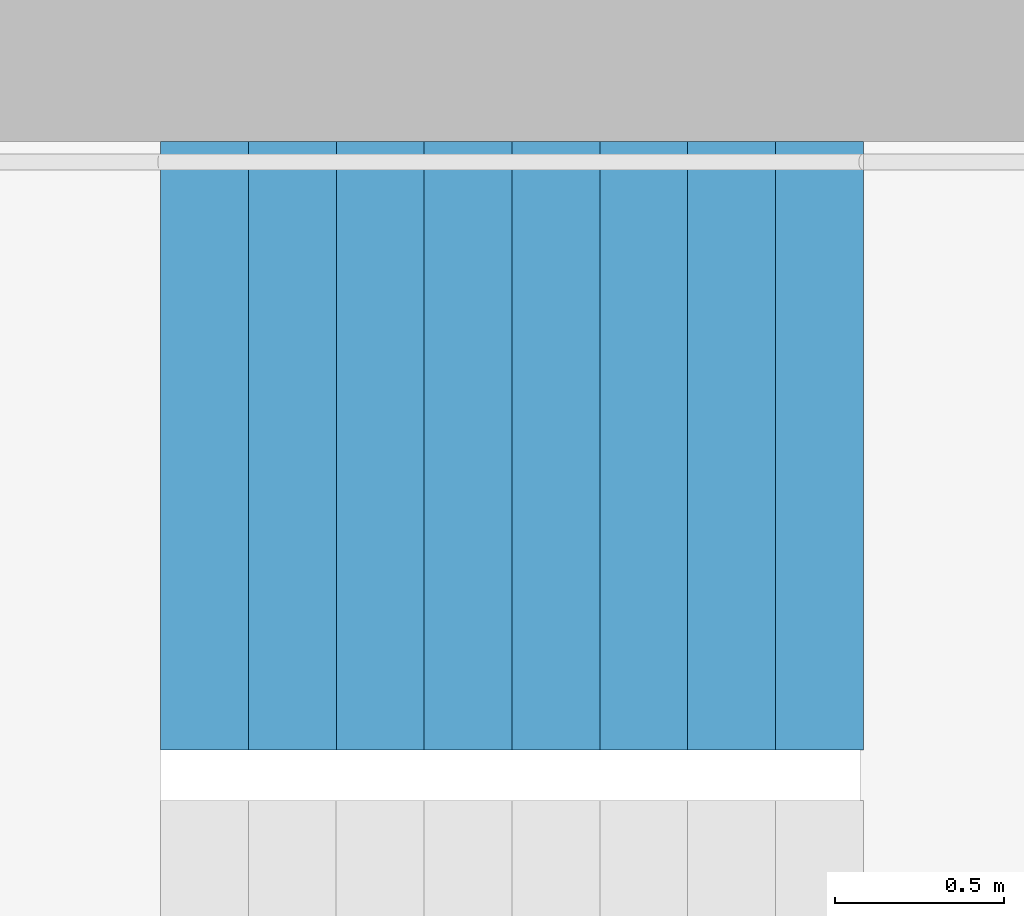
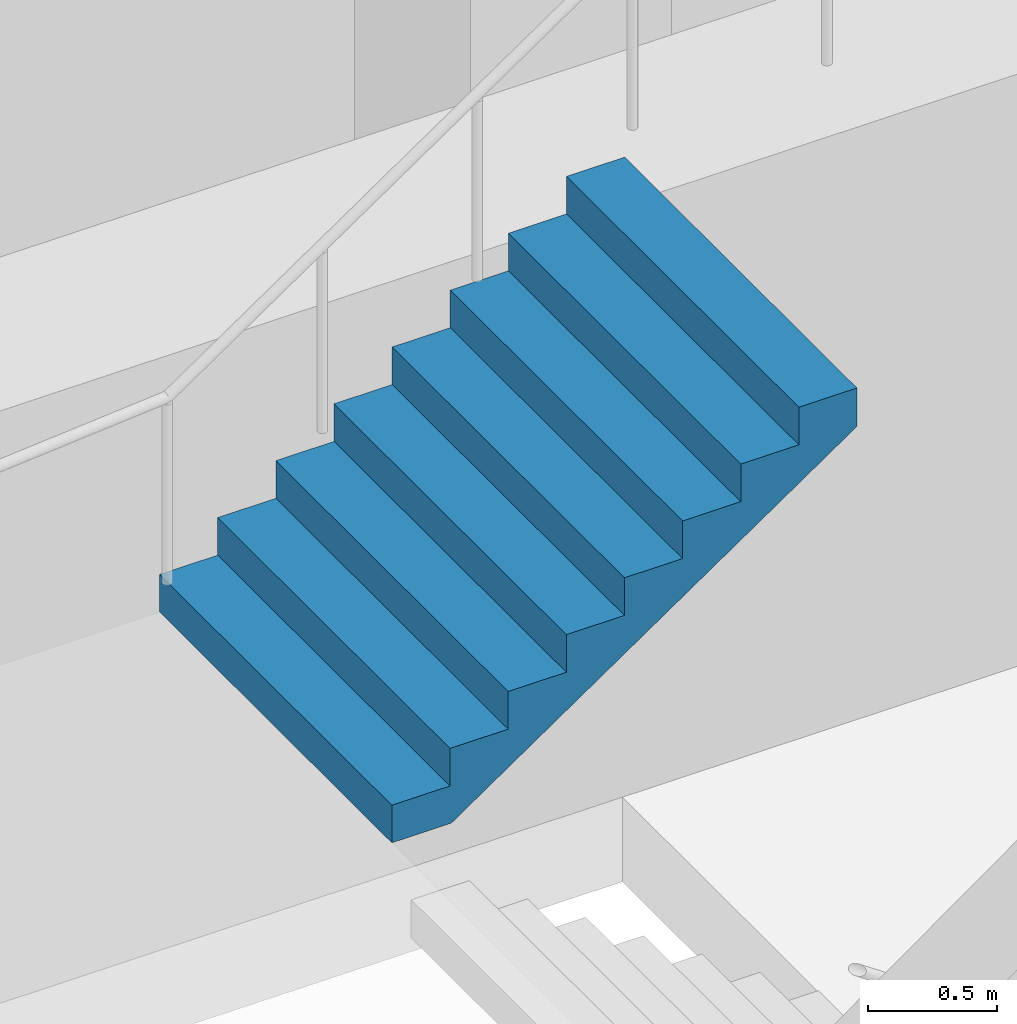
# One storey, part 28 of 29: 1 stair flight, 1 element without a shape of its own.
"""IFC4 building model written with IfcOpenShell, lengths in metres."""

from ifc_helpers import new_model, si_unit, direction, frame, origin, place, context, subcontext, project, spatial, triangles, material, type_object, element, aggregate, save


model = new_model("IFC4")

# Units and contexts
model_context = context("Model", 3, precision=1e-05, world=origin(), true_north=direction((0.0, 1.0)))
body_context = subcontext(model_context, "Body", "Model", "MODEL_VIEW")
ifc_project = project(units=[si_unit("LENGTHUNIT", "METRE"), si_unit("AREAUNIT", "SQUARE_METRE"), si_unit("VOLUMEUNIT", "CUBIC_METRE"), si_unit("PLANEANGLEUNIT", "RADIAN"), si_unit("MASSUNIT", "GRAM", prefix="KILO")], contexts=[model_context])

# Site, building, storey
site_placement = place(None, origin())
site = spatial("IfcSite", under=ifc_project, at=site_placement, CompositionType="ELEMENT")
building_placement = place(site_placement, origin())
building = spatial("IfcBuilding", under=site, at=building_placement, Name="Hakoniwa Tower and Hamabe Station Hall", CompositionType="ELEMENT")
storey_placement = place(building_placement, frame((0.0, 0.0, 85.0)))
storey = spatial("IfcBuildingStorey", under=building, at=storey_placement, Name="L23", CompositionType="ELEMENT", Elevation=85.0)

# Stair, stair flight
ifc_material_1 = material(Name="Concrete C40", Category="concrete")
stair_type = type_object("IfcStairType", Name="ESCAPE STAIR 1800", PredefinedType="HALF_TURN_STAIR", material=ifc_material_1)
stair_placement = place(storey_placement, origin())
stair = element("IfcStair", 1, at=stair_placement, inside=storey, type_object=stair_type, Name="Escape stair ST-3 L23", PredefinedType="HALF_TURN_STAIR")
ifc_material_2 = material(Name="Concrete C40", Category="concrete")
stair_flight_type = type_object("IfcStairFlightType", Name="STAIR FLIGHT 1800", PredefinedType="STRAIGHT", material=ifc_material_2)
stair_flight_placement = place(storey_placement, frame((22.320068359375, 6.60009765625, 1.60009765625), z_axis=(0.0, 0.0, 1.0), x_axis=(1.0, 0.0, 0.0)))
stair_flight = element("IfcStairFlight", 2, at=stair_flight_placement, type_object=stair_flight_type, Name="ST-3 flight 2", NumberOfRisers=9, NumberOfTreads=8, PredefinedType="STRAIGHT", RiserHeight=0.177777778, TreadLength=0.26, context=body_context, shape_type="Tessellation", body=[
    triangles([(0.0, 0.89990234375, 0.0), (0.260009765625, 0.89990234375, 0.0), (0.265625, 0.89990234375, 0.0), (0.52001953125, 0.89990234375, 0.174072265625), (0.780029296875, 0.89990234375, 0.351806640625), (1.0400390625, 0.89990234375, 0.529541015625), (1.300048828125, 0.89990234375, 0.707275390625), (1.56005859375, 0.89990234375, 0.885009765625), (1.820068359375, 0.89990234375, 1.062744140625), (2.080078125, 0.89990234375, 1.24072265625), (2.080078125, 0.89990234375, 1.422119140625), (1.820068359375, 0.89990234375, 1.422119140625), (1.820068359375, 0.89990234375, 1.244384765625), (1.56005859375, 0.89990234375, 1.244384765625), (1.56005859375, 0.89990234375, 1.066650390625), (1.300048828125, 0.89990234375, 1.066650390625), (1.300048828125, 0.89990234375, 0.888916015625), (1.0400390625, 0.89990234375, 0.888916015625), (1.0400390625, 0.89990234375, 0.711181640625), (0.780029296875, 0.89990234375, 0.711181640625), (0.780029296875, 0.89990234375, 0.533447265625), (0.52001953125, 0.89990234375, 0.533447265625), (0.52001953125, 0.89990234375, 0.35546875), (0.265625, 0.89990234375, 0.35546875), (0.260009765625, 0.89990234375, 0.35546875), (0.260009765625, 0.89990234375, 0.177734375), (0.0, 0.89990234375, 0.177734375), (0.0, 0.06005859375, 0.0), (0.260009765625, 0.06005859375, 0.0), (0.265625, 0.06005859375, 0.0), (0.52001953125, 0.06005859375, 0.174072265625), (0.780029296875, 0.06005859375, 0.351806640625), (1.0400390625, 0.06005859375, 0.529541015625), (1.300048828125, 0.06005859375, 0.707275390625), (1.56005859375, 0.06005859375, 0.885009765625), (1.820068359375, 0.06005859375, 1.062744140625), (2.080078125, 0.06005859375, 1.24072265625), (2.080078125, 0.06005859375, 1.422119140625), (1.820068359375, 0.06005859375, 1.422119140625), (1.820068359375, 0.06005859375, 1.244384765625), (1.56005859375, 0.06005859375, 1.244384765625), (1.56005859375, 0.06005859375, 1.066650390625), (1.300048828125, 0.06005859375, 1.066650390625), (1.300048828125, 0.06005859375, 0.888916015625), (1.0400390625, 0.06005859375, 0.888916015625), (1.0400390625, 0.06005859375, 0.711181640625), (0.780029296875, 0.06005859375, 0.711181640625), (0.780029296875, 0.06005859375, 0.533447265625), (0.52001953125, 0.06005859375, 0.533447265625), (0.52001953125, 0.06005859375, 0.35546875), (0.265625, 0.06005859375, 0.35546875), (0.260009765625, 0.06005859375, 0.35546875), (0.260009765625, 0.06005859375, 0.177734375), (0.0, 0.06005859375, 0.177734375), (0.0, 0.04296875, 0.0), (0.260009765625, 0.04296875, 0.0), (0.265625, 0.04296875, 0.0), (0.52001953125, 0.04296875, 0.174072265625), (0.780029296875, 0.04296875, 0.351806640625), (1.0400390625, 0.04296875, 0.529541015625), (1.300048828125, 0.04296875, 0.707275390625), (1.56005859375, 0.04296875, 0.885009765625), (1.820068359375, 0.04296875, 1.062744140625), (2.080078125, 0.04296875, 1.24072265625), (2.080078125, 0.04296875, 1.422119140625), (1.820068359375, 0.04296875, 1.422119140625), (1.820068359375, 0.04296875, 1.244384765625), (1.56005859375, 0.04296875, 1.244384765625), (1.56005859375, 0.04296875, 1.066650390625), (1.300048828125, 0.04296875, 1.066650390625), (1.300048828125, 0.04296875, 0.888916015625), (1.0400390625, 0.04296875, 0.888916015625), (1.0400390625, 0.04296875, 0.711181640625), (0.780029296875, 0.04296875, 0.711181640625), (0.780029296875, 0.04296875, 0.533447265625), (0.52001953125, 0.04296875, 0.533447265625), (0.52001953125, 0.04296875, 0.35546875), (0.265625, 0.04296875, 0.35546875), (0.260009765625, 0.04296875, 0.35546875), (0.260009765625, 0.04296875, 0.177734375), (0.0, 0.04296875, 0.177734375), (0.0, 0.025634765625, 0.0), (0.260009765625, 0.025634765625, 0.0), (0.265625, 0.025634765625, 0.0), (0.52001953125, 0.025634765625, 0.174072265625), (0.780029296875, 0.025634765625, 0.351806640625), (1.0400390625, 0.025634765625, 0.529541015625), (1.300048828125, 0.025634765625, 0.707275390625), (1.56005859375, 0.025634765625, 0.885009765625), (1.820068359375, 0.025634765625, 1.062744140625), (2.080078125, 0.025634765625, 1.24072265625), (2.080078125, 0.025634765625, 1.422119140625), (1.820068359375, 0.025634765625, 1.422119140625), (1.820068359375, 0.025634765625, 1.244384765625), (1.56005859375, 0.025634765625, 1.244384765625), (1.56005859375, 0.025634765625, 1.066650390625), (1.300048828125, 0.025634765625, 1.066650390625), (1.300048828125, 0.025634765625, 0.888916015625), (1.0400390625, 0.025634765625, 0.888916015625), (1.0400390625, 0.025634765625, 0.711181640625), (0.780029296875, 0.025634765625, 0.711181640625), (0.780029296875, 0.025634765625, 0.533447265625), (0.52001953125, 0.025634765625, 0.533447265625), (0.52001953125, 0.025634765625, 0.35546875), (0.265625, 0.025634765625, 0.35546875), (0.260009765625, 0.025634765625, 0.35546875), (0.260009765625, 0.025634765625, 0.177734375), (0.0, 0.025634765625, 0.177734375), (0.0, 0.008544921875, 0.0), (0.260009765625, 0.008544921875, 0.0), (0.265625, 0.008544921875, 0.0), (0.52001953125, 0.008544921875, 0.174072265625), (0.780029296875, 0.008544921875, 0.351806640625), (1.0400390625, 0.008544921875, 0.529541015625), (1.300048828125, 0.008544921875, 0.707275390625), (1.56005859375, 0.008544921875, 0.885009765625), (1.820068359375, 0.008544921875, 1.062744140625), (2.080078125, 0.008544921875, 1.24072265625), (2.080078125, 0.008544921875, 1.422119140625), (1.820068359375, 0.008544921875, 1.422119140625), (1.820068359375, 0.008544921875, 1.244384765625), (1.56005859375, 0.008544921875, 1.244384765625), (1.56005859375, 0.008544921875, 1.066650390625), (1.300048828125, 0.008544921875, 1.066650390625), (1.300048828125, 0.008544921875, 0.888916015625), (1.0400390625, 0.008544921875, 0.888916015625), (1.0400390625, 0.008544921875, 0.711181640625), (0.780029296875, 0.008544921875, 0.711181640625), (0.780029296875, 0.008544921875, 0.533447265625), (0.52001953125, 0.008544921875, 0.533447265625), (0.52001953125, 0.008544921875, 0.35546875), (0.265625, 0.008544921875, 0.35546875), (0.260009765625, 0.008544921875, 0.35546875), (0.260009765625, 0.008544921875, 0.177734375), (0.0, 0.008544921875, 0.177734375), (0.0, -0.008544921875, 0.0), (0.260009765625, -0.008544921875, 0.0), (0.265625, -0.008544921875, 0.0), (0.52001953125, -0.008544921875, 0.174072265625), (0.780029296875, -0.008544921875, 0.351806640625), (1.0400390625, -0.008544921875, 0.529541015625), (1.300048828125, -0.008544921875, 0.707275390625), (1.56005859375, -0.008544921875, 0.885009765625), (1.820068359375, -0.008544921875, 1.062744140625), (2.080078125, -0.008544921875, 1.24072265625), (2.080078125, -0.008544921875, 1.422119140625), (1.820068359375, -0.008544921875, 1.422119140625), (1.820068359375, -0.008544921875, 1.244384765625), (1.56005859375, -0.008544921875, 1.244384765625), (1.56005859375, -0.008544921875, 1.066650390625), (1.300048828125, -0.008544921875, 1.066650390625), (1.300048828125, -0.008544921875, 0.888916015625), (1.0400390625, -0.008544921875, 0.888916015625), (1.0400390625, -0.008544921875, 0.711181640625), (0.780029296875, -0.008544921875, 0.711181640625), (0.780029296875, -0.008544921875, 0.533447265625), (0.52001953125, -0.008544921875, 0.533447265625), (0.52001953125, -0.008544921875, 0.35546875), (0.265625, -0.008544921875, 0.35546875), (0.260009765625, -0.008544921875, 0.35546875), (0.260009765625, -0.008544921875, 0.177734375), (0.0, -0.008544921875, 0.177734375), (0.0, -0.025634765625, 0.0), (0.260009765625, -0.025634765625, 0.0), (0.265625, -0.025634765625, 0.0), (0.52001953125, -0.025634765625, 0.174072265625), (0.780029296875, -0.025634765625, 0.351806640625), (1.0400390625, -0.025634765625, 0.529541015625), (1.300048828125, -0.025634765625, 0.707275390625), (1.56005859375, -0.025634765625, 0.885009765625), (1.820068359375, -0.025634765625, 1.062744140625), (2.080078125, -0.025634765625, 1.24072265625), (2.080078125, -0.025634765625, 1.422119140625), (1.820068359375, -0.025634765625, 1.422119140625), (1.820068359375, -0.025634765625, 1.244384765625), (1.56005859375, -0.025634765625, 1.244384765625), (1.56005859375, -0.025634765625, 1.066650390625), (1.300048828125, -0.025634765625, 1.066650390625), (1.300048828125, -0.025634765625, 0.888916015625), (1.0400390625, -0.025634765625, 0.888916015625), (1.0400390625, -0.025634765625, 0.711181640625), (0.780029296875, -0.025634765625, 0.711181640625), (0.780029296875, -0.025634765625, 0.533447265625), (0.52001953125, -0.025634765625, 0.533447265625), (0.52001953125, -0.025634765625, 0.35546875), (0.265625, -0.025634765625, 0.35546875), (0.260009765625, -0.025634765625, 0.35546875), (0.260009765625, -0.025634765625, 0.177734375), (0.0, -0.025634765625, 0.177734375), (0.0, -0.04296875, 0.0), (0.260009765625, -0.04296875, 0.0), (0.265625, -0.04296875, 0.0), (0.52001953125, -0.04296875, 0.174072265625), (0.780029296875, -0.04296875, 0.351806640625), (1.0400390625, -0.04296875, 0.529541015625), (1.300048828125, -0.04296875, 0.707275390625), (1.56005859375, -0.04296875, 0.885009765625), (1.820068359375, -0.04296875, 1.062744140625), (2.080078125, -0.04296875, 1.24072265625), (2.080078125, -0.04296875, 1.422119140625), (1.820068359375, -0.04296875, 1.422119140625), (1.820068359375, -0.04296875, 1.244384765625), (1.56005859375, -0.04296875, 1.244384765625), (1.56005859375, -0.04296875, 1.066650390625), (1.300048828125, -0.04296875, 1.066650390625), (1.300048828125, -0.04296875, 0.888916015625), (1.0400390625, -0.04296875, 0.888916015625), (1.0400390625, -0.04296875, 0.711181640625), (0.780029296875, -0.04296875, 0.711181640625), (0.780029296875, -0.04296875, 0.533447265625), (0.52001953125, -0.04296875, 0.533447265625), (0.52001953125, -0.04296875, 0.35546875), (0.265625, -0.04296875, 0.35546875), (0.260009765625, -0.04296875, 0.35546875), (0.260009765625, -0.04296875, 0.177734375), (0.0, -0.04296875, 0.177734375), (0.0, -0.06005859375, 0.0), (0.260009765625, -0.06005859375, 0.0), (0.265625, -0.06005859375, 0.0), (0.52001953125, -0.06005859375, 0.174072265625), (0.780029296875, -0.06005859375, 0.351806640625), (1.0400390625, -0.06005859375, 0.529541015625), (1.300048828125, -0.06005859375, 0.707275390625), (1.56005859375, -0.06005859375, 0.885009765625), (1.820068359375, -0.06005859375, 1.062744140625), (2.080078125, -0.06005859375, 1.24072265625), (2.080078125, -0.06005859375, 1.422119140625), (1.820068359375, -0.06005859375, 1.422119140625), (1.820068359375, -0.06005859375, 1.244384765625), (1.56005859375, -0.06005859375, 1.244384765625), (1.56005859375, -0.06005859375, 1.066650390625), (1.300048828125, -0.06005859375, 1.066650390625), (1.300048828125, -0.06005859375, 0.888916015625), (1.0400390625, -0.06005859375, 0.888916015625), (1.0400390625, -0.06005859375, 0.711181640625), (0.780029296875, -0.06005859375, 0.711181640625), (0.780029296875, -0.06005859375, 0.533447265625), (0.52001953125, -0.06005859375, 0.533447265625), (0.52001953125, -0.06005859375, 0.35546875), (0.265625, -0.06005859375, 0.35546875), (0.260009765625, -0.06005859375, 0.35546875), (0.260009765625, -0.06005859375, 0.177734375), (0.0, -0.06005859375, 0.177734375), (0.0, -0.89990234375, 0.0), (0.260009765625, -0.89990234375, 0.0), (0.265625, -0.89990234375, 0.0), (0.52001953125, -0.89990234375, 0.174072265625), (0.780029296875, -0.89990234375, 0.351806640625), (1.0400390625, -0.89990234375, 0.529541015625), (1.300048828125, -0.89990234375, 0.707275390625), (1.56005859375, -0.89990234375, 0.885009765625), (1.820068359375, -0.89990234375, 1.062744140625), (2.080078125, -0.89990234375, 1.24072265625), (2.080078125, -0.89990234375, 1.422119140625), (1.820068359375, -0.89990234375, 1.422119140625), (1.820068359375, -0.89990234375, 1.244384765625), (1.56005859375, -0.89990234375, 1.244384765625), (1.56005859375, -0.89990234375, 1.066650390625), (1.300048828125, -0.89990234375, 1.066650390625), (1.300048828125, -0.89990234375, 0.888916015625), (1.0400390625, -0.89990234375, 0.888916015625), (1.0400390625, -0.89990234375, 0.711181640625), (0.780029296875, -0.89990234375, 0.711181640625), (0.780029296875, -0.89990234375, 0.533447265625), (0.52001953125, -0.89990234375, 0.533447265625), (0.52001953125, -0.89990234375, 0.35546875), (0.265625, -0.89990234375, 0.35546875), (0.260009765625, -0.89990234375, 0.35546875), (0.260009765625, -0.89990234375, 0.177734375), (0.0, -0.89990234375, 0.177734375)], [[2, 27, 26], [245, 269, 270], [2, 1, 27], [245, 270, 244], [3, 25, 24], [246, 267, 268], [3, 26, 25], [246, 268, 269], [3, 2, 26], [246, 269, 245], [4, 24, 23], [247, 266, 267], [4, 3, 24], [247, 267, 246], [5, 22, 21], [248, 264, 265], [5, 23, 22], [248, 265, 266], [5, 4, 23], [248, 266, 247], [6, 20, 19], [249, 262, 263], [6, 21, 20], [249, 263, 264], [6, 5, 21], [249, 264, 248], [7, 18, 17], [250, 260, 261], [7, 19, 18], [250, 261, 262], [7, 6, 19], [250, 262, 249], [8, 16, 15], [251, 258, 259], [8, 17, 16], [251, 259, 260], [8, 7, 17], [251, 260, 250], [9, 14, 13], [252, 256, 257], [9, 15, 14], [252, 257, 258], [9, 8, 15], [252, 258, 251], [10, 12, 11], [253, 254, 255], [10, 13, 12], [253, 255, 256], [10, 9, 13], [253, 256, 252], [1, 2, 29], [1, 29, 28], [28, 29, 56], [28, 56, 55], [55, 56, 83], [55, 83, 82], [82, 83, 110], [82, 110, 109], [109, 110, 137], [109, 137, 136], [136, 137, 164], [136, 164, 163], [163, 164, 191], [163, 191, 190], [190, 191, 218], [190, 218, 217], [217, 218, 245], [217, 245, 244], [2, 3, 30], [2, 30, 29], [29, 30, 57], [29, 57, 56], [56, 57, 84], [56, 84, 83], [83, 84, 111], [83, 111, 110], [110, 111, 138], [110, 138, 137], [137, 138, 165], [137, 165, 164], [164, 165, 192], [164, 192, 191], [191, 192, 219], [191, 219, 218], [218, 219, 246], [218, 246, 245], [3, 4, 31], [3, 31, 30], [30, 31, 58], [30, 58, 57], [57, 58, 85], [57, 85, 84], [84, 85, 112], [84, 112, 111], [111, 112, 139], [111, 139, 138], [138, 139, 166], [138, 166, 165], [165, 166, 193], [165, 193, 192], [192, 193, 220], [192, 220, 219], [219, 220, 247], [219, 247, 246], [4, 5, 32], [4, 32, 31], [31, 32, 59], [31, 59, 58], [58, 59, 86], [58, 86, 85], [85, 86, 113], [85, 113, 112], [112, 113, 140], [112, 140, 139], [139, 140, 167], [139, 167, 166], [166, 167, 194], [166, 194, 193], [193, 194, 221], [193, 221, 220], [220, 221, 248], [220, 248, 247], [5, 6, 33], [5, 33, 32], [32, 33, 60], [32, 60, 59], [59, 60, 87], [59, 87, 86], [86, 87, 114], [86, 114, 113], [113, 114, 141], [113, 141, 140], [140, 141, 168], [140, 168, 167], [167, 168, 195], [167, 195, 194], [194, 195, 222], [194, 222, 221], [221, 222, 249], [221, 249, 248], [6, 7, 34], [6, 34, 33], [33, 34, 61], [33, 61, 60], [60, 61, 88], [60, 88, 87], [87, 88, 115], [87, 115, 114], [114, 115, 142], [114, 142, 141], [141, 142, 169], [141, 169, 168], [168, 169, 196], [168, 196, 195], [195, 196, 223], [195, 223, 222], [222, 223, 250], [222, 250, 249], [7, 8, 35], [7, 35, 34], [34, 35, 62], [34, 62, 61], [61, 62, 89], [61, 89, 88], [88, 89, 116], [88, 116, 115], [115, 116, 143], [115, 143, 142], [142, 143, 170], [142, 170, 169], [169, 170, 197], [169, 197, 196], [196, 197, 224], [196, 224, 223], [223, 224, 251], [223, 251, 250], [8, 9, 36], [8, 36, 35], [35, 36, 63], [35, 63, 62], [62, 63, 90], [62, 90, 89], [89, 90, 117], [89, 117, 116], [116, 117, 144], [116, 144, 143], [143, 144, 171], [143, 171, 170], [170, 171, 198], [170, 198, 197], [197, 198, 225], [197, 225, 224], [224, 225, 252], [224, 252, 251], [9, 10, 37], [9, 37, 36], [36, 37, 64], [36, 64, 63], [63, 64, 91], [63, 91, 90], [90, 91, 118], [90, 118, 117], [117, 118, 145], [117, 145, 144], [144, 145, 172], [144, 172, 171], [171, 172, 199], [171, 199, 198], [198, 199, 226], [198, 226, 225], [225, 226, 253], [225, 253, 252], [10, 11, 38], [10, 38, 37], [37, 38, 65], [37, 65, 64], [64, 65, 92], [64, 92, 91], [91, 92, 119], [91, 119, 118], [118, 119, 146], [118, 146, 145], [145, 146, 173], [145, 173, 172], [172, 173, 200], [172, 200, 199], [199, 200, 227], [199, 227, 226], [226, 227, 254], [226, 254, 253], [11, 12, 39], [11, 39, 38], [38, 39, 66], [38, 66, 65], [65, 66, 93], [65, 93, 92], [92, 93, 120], [92, 120, 119], [119, 120, 147], [119, 147, 146], [146, 147, 174], [146, 174, 173], [173, 174, 201], [173, 201, 200], [200, 201, 228], [200, 228, 227], [227, 228, 255], [227, 255, 254], [12, 13, 40], [12, 40, 39], [39, 40, 67], [39, 67, 66], [66, 67, 94], [66, 94, 93], [93, 94, 121], [93, 121, 120], [120, 121, 148], [120, 148, 147], [147, 148, 175], [147, 175, 174], [174, 175, 202], [174, 202, 201], [201, 202, 229], [201, 229, 228], [228, 229, 256], [228, 256, 255], [13, 14, 41], [13, 41, 40], [40, 41, 68], [40, 68, 67], [67, 68, 95], [67, 95, 94], [94, 95, 122], [94, 122, 121], [121, 122, 149], [121, 149, 148], [148, 149, 176], [148, 176, 175], [175, 176, 203], [175, 203, 202], [202, 203, 230], [202, 230, 229], [229, 230, 257], [229, 257, 256], [14, 15, 42], [14, 42, 41], [41, 42, 69], [41, 69, 68], [68, 69, 96], [68, 96, 95], [95, 96, 123], [95, 123, 122], [122, 123, 150], [122, 150, 149], [149, 150, 177], [149, 177, 176], [176, 177, 204], [176, 204, 203], [203, 204, 231], [203, 231, 230], [230, 231, 258], [230, 258, 257], [15, 16, 43], [15, 43, 42], [42, 43, 70], [42, 70, 69], [69, 70, 97], [69, 97, 96], [96, 97, 124], [96, 124, 123], [123, 124, 151], [123, 151, 150], [150, 151, 178], [150, 178, 177], [177, 178, 205], [177, 205, 204], [204, 205, 232], [204, 232, 231], [231, 232, 259], [231, 259, 258], [16, 17, 44], [16, 44, 43], [43, 44, 71], [43, 71, 70], [70, 71, 98], [70, 98, 97], [97, 98, 125], [97, 125, 124], [124, 125, 152], [124, 152, 151], [151, 152, 179], [151, 179, 178], [178, 179, 206], [178, 206, 205], [205, 206, 233], [205, 233, 232], [232, 233, 260], [232, 260, 259], [17, 18, 45], [17, 45, 44], [44, 45, 72], [44, 72, 71], [71, 72, 99], [71, 99, 98], [98, 99, 126], [98, 126, 125], [125, 126, 153], [125, 153, 152], [152, 153, 180], [152, 180, 179], [179, 180, 207], [179, 207, 206], [206, 207, 234], [206, 234, 233], [233, 234, 261], [233, 261, 260], [18, 19, 46], [18, 46, 45], [45, 46, 73], [45, 73, 72], [72, 73, 100], [72, 100, 99], [99, 100, 127], [99, 127, 126], [126, 127, 154], [126, 154, 153], [153, 154, 181], [153, 181, 180], [180, 181, 208], [180, 208, 207], [207, 208, 235], [207, 235, 234], [234, 235, 262], [234, 262, 261], [19, 20, 47], [19, 47, 46], [46, 47, 74], [46, 74, 73], [73, 74, 101], [73, 101, 100], [100, 101, 128], [100, 128, 127], [127, 128, 155], [127, 155, 154], [154, 155, 182], [154, 182, 181], [181, 182, 209], [181, 209, 208], [208, 209, 236], [208, 236, 235], [235, 236, 263], [235, 263, 262], [20, 21, 48], [20, 48, 47], [47, 48, 75], [47, 75, 74], [74, 75, 102], [74, 102, 101], [101, 102, 129], [101, 129, 128], [128, 129, 156], [128, 156, 155], [155, 156, 183], [155, 183, 182], [182, 183, 210], [182, 210, 209], [209, 210, 237], [209, 237, 236], [236, 237, 264], [236, 264, 263], [21, 22, 49], [21, 49, 48], [48, 49, 76], [48, 76, 75], [75, 76, 103], [75, 103, 102], [102, 103, 130], [102, 130, 129], [129, 130, 157], [129, 157, 156], [156, 157, 184], [156, 184, 183], [183, 184, 211], [183, 211, 210], [210, 211, 238], [210, 238, 237], [237, 238, 265], [237, 265, 264], [22, 23, 50], [22, 50, 49], [49, 50, 77], [49, 77, 76], [76, 77, 104], [76, 104, 103], [103, 104, 131], [103, 131, 130], [130, 131, 158], [130, 158, 157], [157, 158, 185], [157, 185, 184], [184, 185, 212], [184, 212, 211], [211, 212, 239], [211, 239, 238], [238, 239, 266], [238, 266, 265], [23, 24, 51], [23, 51, 50], [50, 51, 78], [50, 78, 77], [77, 78, 105], [77, 105, 104], [104, 105, 132], [104, 132, 131], [131, 132, 159], [131, 159, 158], [158, 159, 186], [158, 186, 185], [185, 186, 213], [185, 213, 212], [212, 213, 240], [212, 240, 239], [239, 240, 267], [239, 267, 266], [24, 25, 52], [24, 52, 51], [51, 52, 79], [51, 79, 78], [78, 79, 106], [78, 106, 105], [105, 106, 133], [105, 133, 132], [132, 133, 160], [132, 160, 159], [159, 160, 187], [159, 187, 186], [186, 187, 214], [186, 214, 213], [213, 214, 241], [213, 241, 240], [240, 241, 268], [240, 268, 267], [25, 26, 53], [25, 53, 52], [52, 53, 80], [52, 80, 79], [79, 80, 107], [79, 107, 106], [106, 107, 134], [106, 134, 133], [133, 134, 161], [133, 161, 160], [160, 161, 188], [160, 188, 187], [187, 188, 215], [187, 215, 214], [214, 215, 242], [214, 242, 241], [241, 242, 269], [241, 269, 268], [26, 27, 54], [26, 54, 53], [53, 54, 81], [53, 81, 80], [80, 81, 108], [80, 108, 107], [107, 108, 135], [107, 135, 134], [134, 135, 162], [134, 162, 161], [161, 162, 189], [161, 189, 188], [188, 189, 216], [188, 216, 215], [215, 216, 243], [215, 243, 242], [242, 243, 270], [242, 270, 269], [27, 1, 28], [27, 28, 54], [54, 28, 55], [54, 55, 81], [81, 55, 82], [81, 82, 108], [108, 82, 109], [108, 109, 135], [135, 109, 136], [135, 136, 162], [162, 136, 163], [162, 163, 189], [189, 163, 190], [189, 190, 216], [216, 190, 217], [216, 217, 243], [243, 217, 244], [243, 244, 270]], closed=True),
])
aggregate(stair, [stair_flight])

save(model, "model.ifc")
